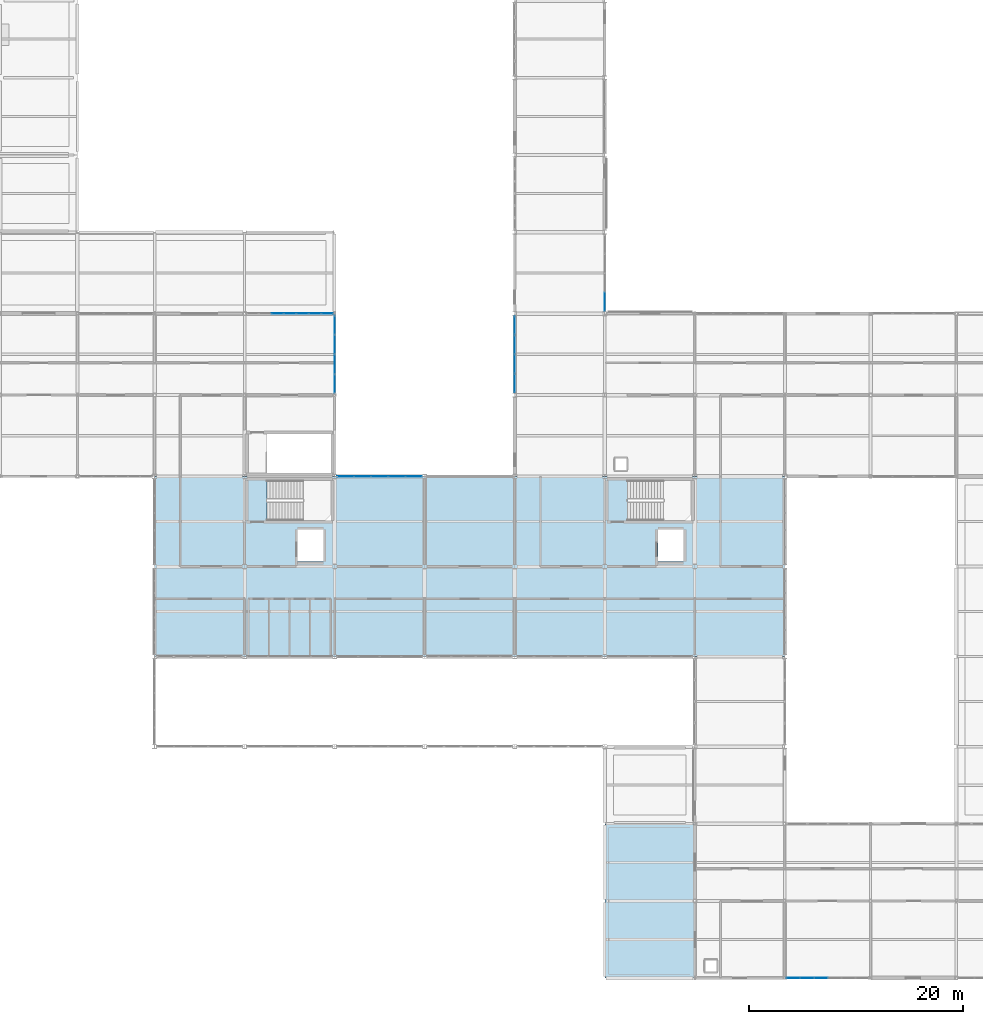
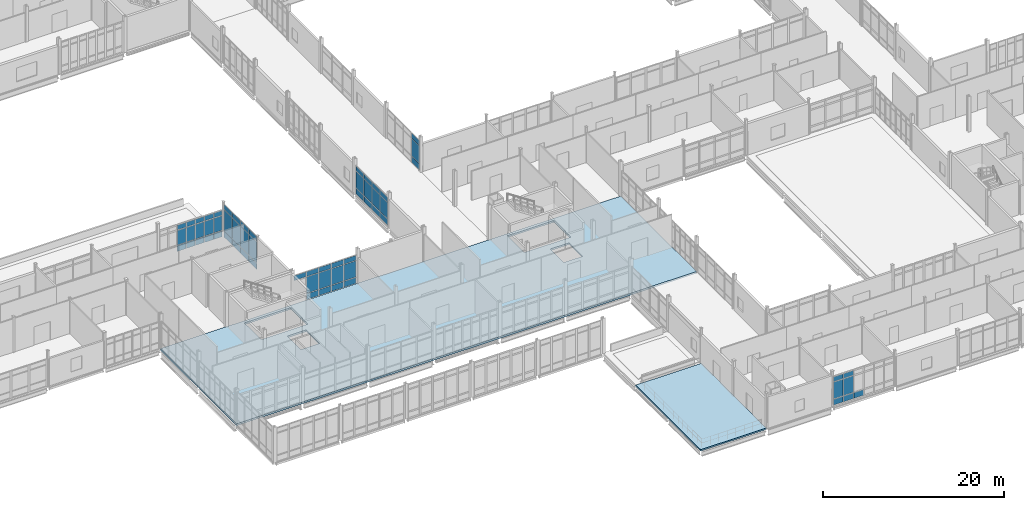
# One storey, part 122 of 186: 62 plates, 2 slabs, 6 elements without a shape of their own.
"""IFC4 building model written with IfcOpenShell, lengths in metres."""

from ifc_helpers import new_model, si_unit, direction, frame, origin, origin_2d, place, context, subcontext, project, spatial, polyline, rectangle, outline, extrude, material, layer, layer_set, type_object, element, aggregate, save


model = new_model("IFC4")

# Units and contexts
model_context = context("Model", 3, precision=1e-05, world=origin(), true_north=direction((0.0, 1.0)))
body_context = subcontext(model_context, "Body", "Model", "MODEL_VIEW")
ifc_project = project(units=[si_unit("LENGTHUNIT", "METRE"), si_unit("AREAUNIT", "SQUARE_METRE"), si_unit("VOLUMEUNIT", "CUBIC_METRE"), si_unit("PLANEANGLEUNIT", "RADIAN"), si_unit("MASSUNIT", "GRAM", prefix="KILO")], contexts=[model_context])

# Site, building, storey
site_placement = place(None, origin())
site = spatial("IfcSite", under=ifc_project, at=site_placement, CompositionType="ELEMENT")
building_placement = place(site_placement, origin())
building = spatial("IfcBuilding", under=site, at=building_placement, Name="Calvrana Isthmian Art Gallery", CompositionType="ELEMENT")
storey_placement = place(building_placement, frame((0.0, 0.0, 5.39990234375)))
storey = spatial("IfcBuildingStorey", under=building, at=storey_placement, Name="L01", CompositionType="ELEMENT", Elevation=5.39990234375)

# Curtain wall, plates
ifc_material_1 = material(Name="Anodized bronze aluminium 6063-T6", Category="aluminium")
ifc_layer_1 = layer(ifc_material_1, 0.179931640625, Name="Anodized bronze aluminium 6063-T6")
ifc_layer_set_1 = layer_set([ifc_layer_1], Name="Anodized bronze aluminium 6063-T6")
curtain_wall_type_1 = type_object("IfcCurtainWallType", Name="CW-UNIT-078X40", PredefinedType="USERDEFINED", material=ifc_layer_set_1)
curtain_wall_1_placement = place(storey_placement, origin())
curtain_wall_1 = element("IfcCurtainWall", 1, at=curtain_wall_1_placement, inside=storey, type_object=curtain_wall_type_1, Name="Curtain wall CW-084", ObjectType="UNITISED CURTAIN WALL", PredefinedType="USERDEFINED")
ifc_material_2 = material(Name="Low-E laminated solar glass", Category="glass")
ifc_layer_2 = layer(ifc_material_2, 0.028076171875, Name="Low-E laminated solar glass")
ifc_layer_set_2 = layer_set([ifc_layer_2], Name="Low-E laminated solar glass")
plate_type = type_object("IfcPlateType", Name="CWP-VISION-28", PredefinedType="CURTAIN_PANEL", material=ifc_layer_set_2)
plate_1_placement = place(storey_placement, frame((83.76513671875, 0.0, 0.074951171875), z_axis=(0.0, 0.0, 1.0), x_axis=(-1.0, 0.0, 0.0)))
plate_1 = element("IfcPlate", 2, at=plate_1_placement, type_object=plate_type, Name="CW-084 panel 4.1", PredefinedType="CURTAIN_PANEL", context=body_context, shape_type="SweptSolid", body=[
    extrude(rectangle(XDim=1.2353515625, YDim=0.028076171875, at=origin_2d()), origin(), (0.0, 0.0, 1.0), 0.78759765625),
])
plate_2_placement = place(storey_placement, frame((82.469970703125, 0.0, 0.074951171875), z_axis=(0.0, 0.0, 1.0), x_axis=(-1.0, 0.0, 0.0)))
plate_2 = element("IfcPlate", 3, at=plate_2_placement, type_object=plate_type, Name="CW-084 panel 5.1", PredefinedType="CURTAIN_PANEL", context=body_context, shape_type="SweptSolid", body=[
    extrude(rectangle(XDim=1.2353515625, YDim=0.028076171875, at=origin_2d()), origin(), (0.0, 0.0, 1.0), 0.78759765625),
])
plate_3_placement = place(storey_placement, frame((82.469970703125, 0.0, 0.9375), z_axis=(0.0, 0.0, 1.0), x_axis=(-1.0, 0.0, 0.0)))
plate_3 = element("IfcPlate", 4, at=plate_3_placement, type_object=plate_type, Name="CW-084 panel 5.2", PredefinedType="CURTAIN_PANEL", context=body_context, shape_type="SweptSolid", body=[
    extrude(rectangle(XDim=1.2353515625, YDim=0.028076171875, at=origin_2d()), origin(), (0.0, 0.0, 1.0), 2.24609375),
])
plate_4_placement = place(storey_placement, frame((82.469970703125, 0.0, 3.2587890625), z_axis=(0.0, 0.0, 1.0), x_axis=(-1.0, 0.0, 0.0)))
plate_4 = element("IfcPlate", 5, at=plate_4_placement, type_object=plate_type, Name="CW-084 panel 5.3", PredefinedType="CURTAIN_PANEL", context=body_context, shape_type="SweptSolid", body=[
    extrude(rectangle(XDim=1.2353515625, YDim=0.028076171875, at=origin_2d()), origin(), (0.0, 0.0, 1.0), 0.637451171875),
])
plate_5_placement = place(storey_placement, frame((81.189697265625, 0.0, 0.074951171875), z_axis=(0.0, 0.0, 1.0), x_axis=(-1.0, 0.0, 0.0)))
plate_5 = element("IfcPlate", 6, at=plate_5_placement, type_object=plate_type, Name="CW-084 panel 6.1", PredefinedType="CURTAIN_PANEL", context=body_context, shape_type="SweptSolid", body=[
    extrude(rectangle(XDim=1.205322265625, YDim=0.028076171875, at=origin_2d()), origin(), (0.0, 0.0, 1.0), 0.78759765625),
])
plate_6_placement = place(storey_placement, frame((81.189697265625, 0.0, 0.9375), z_axis=(0.0, 0.0, 1.0), x_axis=(-1.0, 0.0, 0.0)))
plate_6 = element("IfcPlate", 7, at=plate_6_placement, type_object=plate_type, Name="CW-084 panel 6.2", PredefinedType="CURTAIN_PANEL", context=body_context, shape_type="SweptSolid", body=[
    extrude(rectangle(XDim=1.205322265625, YDim=0.028076171875, at=origin_2d()), origin(), (0.0, 0.0, 1.0), 2.24609375),
])
plate_7_placement = place(storey_placement, frame((81.189697265625, 0.0, 3.2587890625), z_axis=(0.0, 0.0, 1.0), x_axis=(-1.0, 0.0, 0.0)))
plate_7 = element("IfcPlate", 8, at=plate_7_placement, type_object=plate_type, Name="CW-084 panel 6.3", PredefinedType="CURTAIN_PANEL", context=body_context, shape_type="SweptSolid", body=[
    extrude(rectangle(XDim=1.205322265625, YDim=0.028076171875, at=origin_2d()), origin(), (0.0, 0.0, 1.0), 0.637451171875),
])
aggregate(curtain_wall_1, [plate_1, plate_2, plate_3, plate_4, plate_5, plate_6, plate_7])

ifc_layer_3 = layer(ifc_material_1, 0.179931640625, Name="Anodized bronze aluminium 6063-T6")
ifc_layer_set_3 = layer_set([ifc_layer_3], Name="Anodized bronze aluminium 6063-T6")
curtain_wall_type_2 = type_object("IfcCurtainWallType", Name="CW-STICK-080X39", PredefinedType="NOTDEFINED", material=ifc_layer_set_3)
curtain_wall_2_placement = place(storey_placement, origin())
curtain_wall_2 = element("IfcCurtainWall", 9, at=curtain_wall_2_placement, inside=storey, type_object=curtain_wall_type_2, Name="Curtain wall CW-097", PredefinedType="NOTDEFINED")
plate_8_placement = place(storey_placement, frame((39.414794921875, 46.800048828125, 3.1904296875), z_axis=(0.0, 0.0, 1.0), x_axis=(1.0, 0.0, 0.0)))
plate_8 = element("IfcPlate", 10, at=plate_8_placement, type_object=plate_type, Name="CW-097 panel 1.3", PredefinedType="CURTAIN_PANEL", context=body_context, shape_type="SweptSolid", body=[
    extrude(rectangle(XDim=1.510498046875, YDim=0.028076171875, at=origin_2d()), origin(), (0.0, 0.0, 1.0), 0.652587890625),
])
plate_9_placement = place(storey_placement, frame((41.000244140625, 46.800048828125, 0.06494140625), z_axis=(0.0, 0.0, 1.0), x_axis=(1.0, 0.0, 0.0)))
plate_9 = element("IfcPlate", 11, at=plate_9_placement, type_object=plate_type, Name="CW-097 panel 2.1", PredefinedType="CURTAIN_PANEL", context=body_context, shape_type="SweptSolid", body=[
    extrude(rectangle(XDim=1.54052734375, YDim=0.028076171875, at=origin_2d()), origin(), (0.0, 0.0, 1.0), 0.802490234375),
])
plate_10_placement = place(storey_placement, frame((41.000244140625, 46.800048828125, 0.9326171875), z_axis=(0.0, 0.0, 1.0), x_axis=(1.0, 0.0, 0.0)))
plate_10 = element("IfcPlate", 12, at=plate_10_placement, type_object=plate_type, Name="CW-097 panel 2.2", PredefinedType="CURTAIN_PANEL", context=body_context, shape_type="SweptSolid", body=[
    extrude(rectangle(XDim=1.54052734375, YDim=0.028076171875, at=origin_2d()), origin(), (0.0, 0.0, 1.0), 2.193115234375),
])
plate_11_placement = place(storey_placement, frame((41.000244140625, 46.800048828125, 3.1904296875), z_axis=(0.0, 0.0, 1.0), x_axis=(1.0, 0.0, 0.0)))
plate_11 = element("IfcPlate", 13, at=plate_11_placement, type_object=plate_type, Name="CW-097 panel 2.3", PredefinedType="CURTAIN_PANEL", context=body_context, shape_type="SweptSolid", body=[
    extrude(rectangle(XDim=1.54052734375, YDim=0.028076171875, at=origin_2d()), origin(), (0.0, 0.0, 1.0), 0.652587890625),
])
plate_12_placement = place(storey_placement, frame((42.600830078125, 46.800048828125, 0.06494140625), z_axis=(0.0, 0.0, 1.0), x_axis=(1.0, 0.0, 0.0)))
plate_12 = element("IfcPlate", 14, at=plate_12_placement, type_object=plate_type, Name="CW-097 panel 3.1", PredefinedType="CURTAIN_PANEL", context=body_context, shape_type="SweptSolid", body=[
    extrude(rectangle(XDim=1.54052734375, YDim=0.028076171875, at=origin_2d()), origin(), (0.0, 0.0, 1.0), 0.802490234375),
])
plate_13_placement = place(storey_placement, frame((42.600830078125, 46.800048828125, 0.9326171875), z_axis=(0.0, 0.0, 1.0), x_axis=(1.0, 0.0, 0.0)))
plate_13 = element("IfcPlate", 15, at=plate_13_placement, type_object=plate_type, Name="CW-097 panel 3.2", PredefinedType="CURTAIN_PANEL", context=body_context, shape_type="SweptSolid", body=[
    extrude(rectangle(XDim=1.54052734375, YDim=0.028076171875, at=origin_2d()), origin(), (0.0, 0.0, 1.0), 2.193115234375),
])
plate_14_placement = place(storey_placement, frame((42.600830078125, 46.800048828125, 3.1904296875), z_axis=(0.0, 0.0, 1.0), x_axis=(1.0, 0.0, 0.0)))
plate_14 = element("IfcPlate", 16, at=plate_14_placement, type_object=plate_type, Name="CW-097 panel 3.3", PredefinedType="CURTAIN_PANEL", context=body_context, shape_type="SweptSolid", body=[
    extrude(rectangle(XDim=1.54052734375, YDim=0.028076171875, at=origin_2d()), origin(), (0.0, 0.0, 1.0), 0.652587890625),
])
plate_15_placement = place(storey_placement, frame((44.201171875, 46.800048828125, 0.06494140625), z_axis=(0.0, 0.0, 1.0), x_axis=(1.0, 0.0, 0.0)))
plate_15 = element("IfcPlate", 17, at=plate_15_placement, type_object=plate_type, Name="CW-097 panel 4.1", PredefinedType="CURTAIN_PANEL", context=body_context, shape_type="SweptSolid", body=[
    extrude(rectangle(XDim=1.54052734375, YDim=0.028076171875, at=origin_2d()), origin(), (0.0, 0.0, 1.0), 0.802490234375),
])
plate_16_placement = place(storey_placement, frame((44.201171875, 46.800048828125, 0.9326171875), z_axis=(0.0, 0.0, 1.0), x_axis=(1.0, 0.0, 0.0)))
plate_16 = element("IfcPlate", 18, at=plate_16_placement, type_object=plate_type, Name="CW-097 panel 4.2", PredefinedType="CURTAIN_PANEL", context=body_context, shape_type="SweptSolid", body=[
    extrude(rectangle(XDim=1.54052734375, YDim=0.028076171875, at=origin_2d()), origin(), (0.0, 0.0, 1.0), 2.193115234375),
])
plate_17_placement = place(storey_placement, frame((44.201171875, 46.800048828125, 3.1904296875), z_axis=(0.0, 0.0, 1.0), x_axis=(1.0, 0.0, 0.0)))
plate_17 = element("IfcPlate", 19, at=plate_17_placement, type_object=plate_type, Name="CW-097 panel 4.3", PredefinedType="CURTAIN_PANEL", context=body_context, shape_type="SweptSolid", body=[
    extrude(rectangle(XDim=1.54052734375, YDim=0.028076171875, at=origin_2d()), origin(), (0.0, 0.0, 1.0), 0.652587890625),
])
plate_18_placement = place(storey_placement, frame((45.786865234375, 46.800048828125, 0.06494140625), z_axis=(0.0, 0.0, 1.0), x_axis=(1.0, 0.0, 0.0)))
plate_18 = element("IfcPlate", 20, at=plate_18_placement, type_object=plate_type, Name="CW-097 panel 5.1", PredefinedType="CURTAIN_PANEL", context=body_context, shape_type="SweptSolid", body=[
    extrude(rectangle(XDim=1.510498046875, YDim=0.028076171875, at=origin_2d()), origin(), (0.0, 0.0, 1.0), 0.802490234375),
])
plate_19_placement = place(storey_placement, frame((45.786865234375, 46.800048828125, 0.9326171875), z_axis=(0.0, 0.0, 1.0), x_axis=(1.0, 0.0, 0.0)))
plate_19 = element("IfcPlate", 21, at=plate_19_placement, type_object=plate_type, Name="CW-097 panel 5.2", PredefinedType="CURTAIN_PANEL", context=body_context, shape_type="SweptSolid", body=[
    extrude(rectangle(XDim=1.510498046875, YDim=0.028076171875, at=origin_2d()), origin(), (0.0, 0.0, 1.0), 2.193115234375),
])
plate_20_placement = place(storey_placement, frame((45.786865234375, 46.800048828125, 3.1904296875), z_axis=(0.0, 0.0, 1.0), x_axis=(1.0, 0.0, 0.0)))
plate_20 = element("IfcPlate", 22, at=plate_20_placement, type_object=plate_type, Name="CW-097 panel 5.3", PredefinedType="CURTAIN_PANEL", context=body_context, shape_type="SweptSolid", body=[
    extrude(rectangle(XDim=1.510498046875, YDim=0.028076171875, at=origin_2d()), origin(), (0.0, 0.0, 1.0), 0.652587890625),
])
aggregate(curtain_wall_2, [plate_8, plate_9, plate_10, plate_11, plate_12, plate_13, plate_14, plate_15, plate_16, plate_17, plate_18, plate_19, plate_20])

ifc_layer_4 = layer(ifc_material_1, 0.179931640625, Name="Anodized bronze aluminium 6063-T6")
ifc_layer_set_4 = layer_set([ifc_layer_4], Name="Anodized bronze aluminium 6063-T6")
curtain_wall_type_3 = type_object("IfcCurtainWallType", Name="CW-UNIT-081X37", PredefinedType="USERDEFINED", material=ifc_layer_set_4)
curtain_wall_3_placement = place(storey_placement, origin())
curtain_wall_3 = element("IfcCurtainWall", 23, at=curtain_wall_3_placement, inside=storey, type_object=curtain_wall_type_3, Name="Curtain wall CW-104", ObjectType="UNITISED CURTAIN WALL", PredefinedType="USERDEFINED")
plate_21_placement = place(storey_placement, frame((33.061767578125, 62.0, 0.074951171875), z_axis=(0.0, 0.0, 1.0), x_axis=(1.0, 0.0, 0.0)))
plate_21 = element("IfcPlate", 24, at=plate_21_placement, type_object=plate_type, Name="CW-104 panel 3.1", PredefinedType="CURTAIN_PANEL", context=body_context, shape_type="SweptSolid", body=[
    extrude(rectangle(XDim=1.0986328125, YDim=0.028076171875, at=origin_2d()), origin(), (0.0, 0.0, 1.0), 0.78759765625),
])
plate_22_placement = place(storey_placement, frame((33.061767578125, 62.0, 0.9375), z_axis=(0.0, 0.0, 1.0), x_axis=(1.0, 0.0, 0.0)))
plate_22 = element("IfcPlate", 25, at=plate_22_placement, type_object=plate_type, Name="CW-104 panel 3.2", PredefinedType="CURTAIN_PANEL", context=body_context, shape_type="SweptSolid", body=[
    extrude(rectangle(XDim=1.0986328125, YDim=0.028076171875, at=origin_2d()), origin(), (0.0, 0.0, 1.0), 1.969970703125),
])
plate_23_placement = place(storey_placement, frame((33.061767578125, 62.0, 2.982421875), z_axis=(0.0, 0.0, 1.0), x_axis=(1.0, 0.0, 0.0)))
plate_23 = element("IfcPlate", 26, at=plate_23_placement, type_object=plate_type, Name="CW-104 panel 3.3", PredefinedType="CURTAIN_PANEL", context=body_context, shape_type="SweptSolid", body=[
    extrude(rectangle(XDim=1.0986328125, YDim=0.028076171875, at=origin_2d()), origin(), (0.0, 0.0, 1.0), 0.637451171875),
])
plate_24_placement = place(storey_placement, frame((34.225341796875, 62.0, 0.074951171875), z_axis=(0.0, 0.0, 1.0), x_axis=(1.0, 0.0, 0.0)))
plate_24 = element("IfcPlate", 27, at=plate_24_placement, type_object=plate_type, Name="CW-104 panel 4.1", PredefinedType="CURTAIN_PANEL", context=body_context, shape_type="SweptSolid", body=[
    extrude(rectangle(XDim=1.0986328125, YDim=0.028076171875, at=origin_2d()), origin(), (0.0, 0.0, 1.0), 0.78759765625),
])
plate_25_placement = place(storey_placement, frame((34.225341796875, 62.0, 0.9375), z_axis=(0.0, 0.0, 1.0), x_axis=(1.0, 0.0, 0.0)))
plate_25 = element("IfcPlate", 28, at=plate_25_placement, type_object=plate_type, Name="CW-104 panel 4.2", PredefinedType="CURTAIN_PANEL", context=body_context, shape_type="SweptSolid", body=[
    extrude(rectangle(XDim=1.0986328125, YDim=0.028076171875, at=origin_2d()), origin(), (0.0, 0.0, 1.0), 1.969970703125),
])
plate_26_placement = place(storey_placement, frame((34.225341796875, 62.0, 2.982421875), z_axis=(0.0, 0.0, 1.0), x_axis=(1.0, 0.0, 0.0)))
plate_26 = element("IfcPlate", 29, at=plate_26_placement, type_object=plate_type, Name="CW-104 panel 4.3", PredefinedType="CURTAIN_PANEL", context=body_context, shape_type="SweptSolid", body=[
    extrude(rectangle(XDim=1.0986328125, YDim=0.028076171875, at=origin_2d()), origin(), (0.0, 0.0, 1.0), 0.637451171875),
])
plate_27_placement = place(storey_placement, frame((35.38916015625, 62.0, 0.074951171875), z_axis=(0.0, 0.0, 1.0), x_axis=(1.0, 0.0, 0.0)))
plate_27 = element("IfcPlate", 30, at=plate_27_placement, type_object=plate_type, Name="CW-104 panel 5.1", PredefinedType="CURTAIN_PANEL", context=body_context, shape_type="SweptSolid", body=[
    extrude(rectangle(XDim=1.0986328125, YDim=0.028076171875, at=origin_2d()), origin(), (0.0, 0.0, 1.0), 0.78759765625),
])
plate_28_placement = place(storey_placement, frame((35.38916015625, 62.0, 0.9375), z_axis=(0.0, 0.0, 1.0), x_axis=(1.0, 0.0, 0.0)))
plate_28 = element("IfcPlate", 31, at=plate_28_placement, type_object=plate_type, Name="CW-104 panel 5.2", PredefinedType="CURTAIN_PANEL", context=body_context, shape_type="SweptSolid", body=[
    extrude(rectangle(XDim=1.0986328125, YDim=0.028076171875, at=origin_2d()), origin(), (0.0, 0.0, 1.0), 1.969970703125),
])
plate_29_placement = place(storey_placement, frame((35.38916015625, 62.0, 2.982421875), z_axis=(0.0, 0.0, 1.0), x_axis=(1.0, 0.0, 0.0)))
plate_29 = element("IfcPlate", 32, at=plate_29_placement, type_object=plate_type, Name="CW-104 panel 5.3", PredefinedType="CURTAIN_PANEL", context=body_context, shape_type="SweptSolid", body=[
    extrude(rectangle(XDim=1.0986328125, YDim=0.028076171875, at=origin_2d()), origin(), (0.0, 0.0, 1.0), 0.637451171875),
])
plate_30_placement = place(storey_placement, frame((36.552734375, 62.0, 0.074951171875), z_axis=(0.0, 0.0, 1.0), x_axis=(1.0, 0.0, 0.0)))
plate_30 = element("IfcPlate", 33, at=plate_30_placement, type_object=plate_type, Name="CW-104 panel 6.1", PredefinedType="CURTAIN_PANEL", context=body_context, shape_type="SweptSolid", body=[
    extrude(rectangle(XDim=1.0986328125, YDim=0.028076171875, at=origin_2d()), origin(), (0.0, 0.0, 1.0), 0.78759765625),
])
plate_31_placement = place(storey_placement, frame((36.552734375, 62.0, 0.9375), z_axis=(0.0, 0.0, 1.0), x_axis=(1.0, 0.0, 0.0)))
plate_31 = element("IfcPlate", 34, at=plate_31_placement, type_object=plate_type, Name="CW-104 panel 6.2", PredefinedType="CURTAIN_PANEL", context=body_context, shape_type="SweptSolid", body=[
    extrude(rectangle(XDim=1.0986328125, YDim=0.028076171875, at=origin_2d()), origin(), (0.0, 0.0, 1.0), 1.969970703125),
])
plate_32_placement = place(storey_placement, frame((36.552734375, 62.0, 2.982421875), z_axis=(0.0, 0.0, 1.0), x_axis=(1.0, 0.0, 0.0)))
plate_32 = element("IfcPlate", 35, at=plate_32_placement, type_object=plate_type, Name="CW-104 panel 6.3", PredefinedType="CURTAIN_PANEL", context=body_context, shape_type="SweptSolid", body=[
    extrude(rectangle(XDim=1.0986328125, YDim=0.028076171875, at=origin_2d()), origin(), (0.0, 0.0, 1.0), 0.637451171875),
])
plate_33_placement = place(storey_placement, frame((37.7001953125, 62.0, 0.074951171875), z_axis=(0.0, 0.0, 1.0), x_axis=(1.0, 0.0, 0.0)))
plate_33 = element("IfcPlate", 36, at=plate_33_placement, type_object=plate_type, Name="CW-104 panel 7.1", PredefinedType="CURTAIN_PANEL", context=body_context, shape_type="SweptSolid", body=[
    extrude(rectangle(XDim=1.066162109375, YDim=0.028076171875, at=origin_2d()), origin(), (0.0, 0.0, 1.0), 0.78759765625),
])
plate_34_placement = place(storey_placement, frame((37.7001953125, 62.0, 0.9375), z_axis=(0.0, 0.0, 1.0), x_axis=(1.0, 0.0, 0.0)))
plate_34 = element("IfcPlate", 37, at=plate_34_placement, type_object=plate_type, Name="CW-104 panel 7.2", PredefinedType="CURTAIN_PANEL", context=body_context, shape_type="SweptSolid", body=[
    extrude(rectangle(XDim=1.066162109375, YDim=0.028076171875, at=origin_2d()), origin(), (0.0, 0.0, 1.0), 1.969970703125),
])
plate_35_placement = place(storey_placement, frame((37.7001953125, 62.0, 2.982421875), z_axis=(0.0, 0.0, 1.0), x_axis=(1.0, 0.0, 0.0)))
plate_35 = element("IfcPlate", 38, at=plate_35_placement, type_object=plate_type, Name="CW-104 panel 7.3", PredefinedType="CURTAIN_PANEL", context=body_context, shape_type="SweptSolid", body=[
    extrude(rectangle(XDim=1.066162109375, YDim=0.028076171875, at=origin_2d()), origin(), (0.0, 0.0, 1.0), 0.637451171875),
])
aggregate(curtain_wall_3, [plate_21, plate_22, plate_23, plate_24, plate_25, plate_26, plate_27, plate_28, plate_29, plate_30, plate_31, plate_32, plate_33, plate_34, plate_35])

ifc_layer_5 = layer(ifc_material_1, 0.179931640625, Name="Anodized bronze aluminium 6063-T6")
ifc_layer_set_5 = layer_set([ifc_layer_5], Name="Anodized bronze aluminium 6063-T6")
curtain_wall_type_4 = type_object("IfcCurtainWallType", Name="CW-UNIT-073X45", PredefinedType="USERDEFINED", material=ifc_layer_set_5)
curtain_wall_4_placement = place(storey_placement, origin())
curtain_wall_4 = element("IfcCurtainWall", 39, at=curtain_wall_4_placement, inside=storey, type_object=curtain_wall_type_4, Name="Curtain wall CW-122", ObjectType="UNITISED CURTAIN WALL", PredefinedType="USERDEFINED")
plate_36_placement = place(storey_placement, frame((38.39990234375, 60.916259765625, 0.06494140625), z_axis=(0.0, 0.0, 1.0), x_axis=(0.0, -1.0, 0.0)))
plate_36 = element("IfcPlate", 40, at=plate_36_placement, type_object=plate_type, Name="CW-122 panel 1.1", PredefinedType="CURTAIN_PANEL", context=body_context, shape_type="SweptSolid", body=[
    extrude(rectangle(XDim=1.732666015625, YDim=0.028076171875, at=origin_2d()), origin(), (0.0, 0.0, 1.0), 0.802490234375),
])
plate_37_placement = place(storey_placement, frame((38.39990234375, 60.916259765625, 0.9326171875), z_axis=(0.0, 0.0, 1.0), x_axis=(0.0, -1.0, 0.0)))
plate_37 = element("IfcPlate", 41, at=plate_37_placement, type_object=plate_type, Name="CW-122 panel 1.2", PredefinedType="CURTAIN_PANEL", context=body_context, shape_type="SweptSolid", body=[
    extrude(rectangle(XDim=1.732666015625, YDim=0.028076171875, at=origin_2d()), origin(), (0.0, 0.0, 1.0), 2.824951171875),
])
plate_38_placement = place(storey_placement, frame((38.39990234375, 60.916259765625, 3.82275390625), z_axis=(0.0, 0.0, 1.0), x_axis=(0.0, -1.0, 0.0)))
plate_38 = element("IfcPlate", 42, at=plate_38_placement, type_object=plate_type, Name="CW-122 panel 1.3", PredefinedType="CURTAIN_PANEL", context=body_context, shape_type="SweptSolid", body=[
    extrude(rectangle(XDim=1.732666015625, YDim=0.028076171875, at=origin_2d()), origin(), (0.0, 0.0, 1.0), 0.652587890625),
])
plate_39_placement = place(storey_placement, frame((38.39990234375, 59.102294921875, 0.06494140625), z_axis=(0.0, 0.0, 1.0), x_axis=(0.0, -1.0, 0.0)))
plate_39 = element("IfcPlate", 43, at=plate_39_placement, type_object=plate_type, Name="CW-122 panel 2.1", PredefinedType="CURTAIN_PANEL", context=body_context, shape_type="SweptSolid", body=[
    extrude(rectangle(XDim=1.76513671875, YDim=0.028076171875, at=origin_2d()), origin(), (0.0, 0.0, 1.0), 0.802490234375),
])
plate_40_placement = place(storey_placement, frame((38.39990234375, 59.102294921875, 0.9326171875), z_axis=(0.0, 0.0, 1.0), x_axis=(0.0, -1.0, 0.0)))
plate_40 = element("IfcPlate", 44, at=plate_40_placement, type_object=plate_type, Name="CW-122 panel 2.2", PredefinedType="CURTAIN_PANEL", context=body_context, shape_type="SweptSolid", body=[
    extrude(rectangle(XDim=1.76513671875, YDim=0.028076171875, at=origin_2d()), origin(), (0.0, 0.0, 1.0), 2.824951171875),
])
plate_41_placement = place(storey_placement, frame((38.39990234375, 59.102294921875, 3.82275390625), z_axis=(0.0, 0.0, 1.0), x_axis=(0.0, -1.0, 0.0)))
plate_41 = element("IfcPlate", 45, at=plate_41_placement, type_object=plate_type, Name="CW-122 panel 2.3", PredefinedType="CURTAIN_PANEL", context=body_context, shape_type="SweptSolid", body=[
    extrude(rectangle(XDim=1.76513671875, YDim=0.028076171875, at=origin_2d()), origin(), (0.0, 0.0, 1.0), 0.652587890625),
])
plate_42_placement = place(storey_placement, frame((38.39990234375, 57.272216796875, 0.06494140625), z_axis=(0.0, 0.0, 1.0), x_axis=(0.0, -1.0, 0.0)))
plate_42 = element("IfcPlate", 46, at=plate_42_placement, type_object=plate_type, Name="CW-122 panel 3.1", PredefinedType="CURTAIN_PANEL", context=body_context, shape_type="SweptSolid", body=[
    extrude(rectangle(XDim=1.76513671875, YDim=0.028076171875, at=origin_2d()), origin(), (0.0, 0.0, 1.0), 0.802490234375),
])
plate_43_placement = place(storey_placement, frame((38.39990234375, 57.272216796875, 0.9326171875), z_axis=(0.0, 0.0, 1.0), x_axis=(0.0, -1.0, 0.0)))
plate_43 = element("IfcPlate", 47, at=plate_43_placement, type_object=plate_type, Name="CW-122 panel 3.2", PredefinedType="CURTAIN_PANEL", context=body_context, shape_type="SweptSolid", body=[
    extrude(rectangle(XDim=1.76513671875, YDim=0.028076171875, at=origin_2d()), origin(), (0.0, 0.0, 1.0), 2.824951171875),
])
plate_44_placement = place(storey_placement, frame((38.39990234375, 57.272216796875, 3.82275390625), z_axis=(0.0, 0.0, 1.0), x_axis=(0.0, -1.0, 0.0)))
plate_44 = element("IfcPlate", 48, at=plate_44_placement, type_object=plate_type, Name="CW-122 panel 3.3", PredefinedType="CURTAIN_PANEL", context=body_context, shape_type="SweptSolid", body=[
    extrude(rectangle(XDim=1.76513671875, YDim=0.028076171875, at=origin_2d()), origin(), (0.0, 0.0, 1.0), 0.652587890625),
])
plate_45_placement = place(storey_placement, frame((38.39990234375, 55.458251953125, 0.06494140625), z_axis=(0.0, 0.0, 1.0), x_axis=(0.0, -1.0, 0.0)))
plate_45 = element("IfcPlate", 49, at=plate_45_placement, type_object=plate_type, Name="CW-122 panel 4.1", PredefinedType="CURTAIN_PANEL", context=body_context, shape_type="SweptSolid", body=[
    extrude(rectangle(XDim=1.732666015625, YDim=0.028076171875, at=origin_2d()), origin(), (0.0, 0.0, 1.0), 0.802490234375),
])
plate_46_placement = place(storey_placement, frame((38.39990234375, 55.458251953125, 0.9326171875), z_axis=(0.0, 0.0, 1.0), x_axis=(0.0, -1.0, 0.0)))
plate_46 = element("IfcPlate", 50, at=plate_46_placement, type_object=plate_type, Name="CW-122 panel 4.2", PredefinedType="CURTAIN_PANEL", context=body_context, shape_type="SweptSolid", body=[
    extrude(rectangle(XDim=1.732666015625, YDim=0.028076171875, at=origin_2d()), origin(), (0.0, 0.0, 1.0), 2.824951171875),
])
plate_47_placement = place(storey_placement, frame((38.39990234375, 55.458251953125, 3.82275390625), z_axis=(0.0, 0.0, 1.0), x_axis=(0.0, -1.0, 0.0)))
plate_47 = element("IfcPlate", 51, at=plate_47_placement, type_object=plate_type, Name="CW-122 panel 4.3", PredefinedType="CURTAIN_PANEL", context=body_context, shape_type="SweptSolid", body=[
    extrude(rectangle(XDim=1.732666015625, YDim=0.028076171875, at=origin_2d()), origin(), (0.0, 0.0, 1.0), 0.652587890625),
])
aggregate(curtain_wall_4, [plate_36, plate_37, plate_38, plate_39, plate_40, plate_41, plate_42, plate_43, plate_44, plate_45, plate_46, plate_47])

ifc_layer_6 = layer(ifc_material_1, 0.179931640625, Name="Anodized bronze aluminium 6063-T6")
ifc_layer_set_6 = layer_set([ifc_layer_6], Name="Anodized bronze aluminium 6063-T6")
curtain_wall_type_5 = type_object("IfcCurtainWallType", Name="CW-STICK-072X39", PredefinedType="NOTDEFINED", material=ifc_layer_set_6)
curtain_wall_5_placement = place(storey_placement, origin())
curtain_wall_5 = element("IfcCurtainWall", 52, at=curtain_wall_5_placement, inside=storey, type_object=curtain_wall_type_5, Name="Curtain wall CW-123", PredefinedType="NOTDEFINED")
plate_48_placement = place(storey_placement, frame((55.199951171875, 55.505126953125, 0.070068359375), z_axis=(0.0, 0.0, 1.0), x_axis=(0.0, 1.0, 0.0)))
plate_48 = element("IfcPlate", 53, at=plate_48_placement, type_object=plate_type, Name="CW-123 panel 1.1", PredefinedType="CURTAIN_PANEL", context=body_context, shape_type="SweptSolid", body=[
    extrude(rectangle(XDim=1.702392578125, YDim=0.028076171875, at=origin_2d()), origin(), (0.0, 0.0, 1.0), 0.794921875),
])
plate_49_placement = place(storey_placement, frame((55.199951171875, 55.505126953125, 0.93505859375), z_axis=(0.0, 0.0, 1.0), x_axis=(0.0, 1.0, 0.0)))
plate_49 = element("IfcPlate", 54, at=plate_49_placement, type_object=plate_type, Name="CW-123 panel 1.2", PredefinedType="CURTAIN_PANEL", context=body_context, shape_type="SweptSolid", body=[
    extrude(rectangle(XDim=1.702392578125, YDim=0.028076171875, at=origin_2d()), origin(), (0.0, 0.0, 1.0), 2.193115234375),
])
plate_50_placement = place(storey_placement, frame((55.199951171875, 55.505126953125, 3.197998046875), z_axis=(0.0, 0.0, 1.0), x_axis=(0.0, 1.0, 0.0)))
plate_50 = element("IfcPlate", 55, at=plate_50_placement, type_object=plate_type, Name="CW-123 panel 1.3", PredefinedType="CURTAIN_PANEL", context=body_context, shape_type="SweptSolid", body=[
    extrude(rectangle(XDim=1.702392578125, YDim=0.028076171875, at=origin_2d()), origin(), (0.0, 0.0, 1.0), 0.64501953125),
])
plate_51_placement = place(storey_placement, frame((55.199951171875, 57.295166015625, 0.070068359375), z_axis=(0.0, 0.0, 1.0), x_axis=(0.0, 1.0, 0.0)))
plate_51 = element("IfcPlate", 56, at=plate_51_placement, type_object=plate_type, Name="CW-123 panel 2.1", PredefinedType="CURTAIN_PANEL", context=body_context, shape_type="SweptSolid", body=[
    extrude(rectangle(XDim=1.7373046875, YDim=0.028076171875, at=origin_2d()), origin(), (0.0, 0.0, 1.0), 0.794921875),
])
plate_52_placement = place(storey_placement, frame((55.199951171875, 57.295166015625, 0.93505859375), z_axis=(0.0, 0.0, 1.0), x_axis=(0.0, 1.0, 0.0)))
plate_52 = element("IfcPlate", 57, at=plate_52_placement, type_object=plate_type, Name="CW-123 panel 2.2", PredefinedType="CURTAIN_PANEL", context=body_context, shape_type="SweptSolid", body=[
    extrude(rectangle(XDim=1.7373046875, YDim=0.028076171875, at=origin_2d()), origin(), (0.0, 0.0, 1.0), 2.193115234375),
])
plate_53_placement = place(storey_placement, frame((55.199951171875, 57.295166015625, 3.197998046875), z_axis=(0.0, 0.0, 1.0), x_axis=(0.0, 1.0, 0.0)))
plate_53 = element("IfcPlate", 58, at=plate_53_placement, type_object=plate_type, Name="CW-123 panel 2.3", PredefinedType="CURTAIN_PANEL", context=body_context, shape_type="SweptSolid", body=[
    extrude(rectangle(XDim=1.7373046875, YDim=0.028076171875, at=origin_2d()), origin(), (0.0, 0.0, 1.0), 0.64501953125),
])
plate_54_placement = place(storey_placement, frame((55.199951171875, 59.1025390625, 0.070068359375), z_axis=(0.0, 0.0, 1.0), x_axis=(0.0, 1.0, 0.0)))
plate_54 = element("IfcPlate", 59, at=plate_54_placement, type_object=plate_type, Name="CW-123 panel 3.1", PredefinedType="CURTAIN_PANEL", context=body_context, shape_type="SweptSolid", body=[
    extrude(rectangle(XDim=1.7373046875, YDim=0.028076171875, at=origin_2d()), origin(), (0.0, 0.0, 1.0), 0.794921875),
])
plate_55_placement = place(storey_placement, frame((55.199951171875, 59.1025390625, 0.93505859375), z_axis=(0.0, 0.0, 1.0), x_axis=(0.0, 1.0, 0.0)))
plate_55 = element("IfcPlate", 60, at=plate_55_placement, type_object=plate_type, Name="CW-123 panel 3.2", PredefinedType="CURTAIN_PANEL", context=body_context, shape_type="SweptSolid", body=[
    extrude(rectangle(XDim=1.7373046875, YDim=0.028076171875, at=origin_2d()), origin(), (0.0, 0.0, 1.0), 2.193115234375),
])
plate_56_placement = place(storey_placement, frame((55.199951171875, 59.1025390625, 3.197998046875), z_axis=(0.0, 0.0, 1.0), x_axis=(0.0, 1.0, 0.0)))
plate_56 = element("IfcPlate", 61, at=plate_56_placement, type_object=plate_type, Name="CW-123 panel 3.3", PredefinedType="CURTAIN_PANEL", context=body_context, shape_type="SweptSolid", body=[
    extrude(rectangle(XDim=1.7373046875, YDim=0.028076171875, at=origin_2d()), origin(), (0.0, 0.0, 1.0), 0.64501953125),
])
plate_57_placement = place(storey_placement, frame((55.199951171875, 60.892333984375, 0.070068359375), z_axis=(0.0, 0.0, 1.0), x_axis=(0.0, 1.0, 0.0)))
plate_57 = element("IfcPlate", 62, at=plate_57_placement, type_object=plate_type, Name="CW-123 panel 4.1", PredefinedType="CURTAIN_PANEL", context=body_context, shape_type="SweptSolid", body=[
    extrude(rectangle(XDim=1.702392578125, YDim=0.028076171875, at=origin_2d()), origin(), (0.0, 0.0, 1.0), 0.794921875),
])
plate_58_placement = place(storey_placement, frame((55.199951171875, 60.892333984375, 0.93505859375), z_axis=(0.0, 0.0, 1.0), x_axis=(0.0, 1.0, 0.0)))
plate_58 = element("IfcPlate", 63, at=plate_58_placement, type_object=plate_type, Name="CW-123 panel 4.2", PredefinedType="CURTAIN_PANEL", context=body_context, shape_type="SweptSolid", body=[
    extrude(rectangle(XDim=1.702392578125, YDim=0.028076171875, at=origin_2d()), origin(), (0.0, 0.0, 1.0), 2.193115234375),
])
plate_59_placement = place(storey_placement, frame((55.199951171875, 60.892333984375, 3.197998046875), z_axis=(0.0, 0.0, 1.0), x_axis=(0.0, 1.0, 0.0)))
plate_59 = element("IfcPlate", 64, at=plate_59_placement, type_object=plate_type, Name="CW-123 panel 4.3", PredefinedType="CURTAIN_PANEL", context=body_context, shape_type="SweptSolid", body=[
    extrude(rectangle(XDim=1.702392578125, YDim=0.028076171875, at=origin_2d()), origin(), (0.0, 0.0, 1.0), 0.64501953125),
])
aggregate(curtain_wall_5, [plate_48, plate_49, plate_50, plate_51, plate_52, plate_53, plate_54, plate_55, plate_56, plate_57, plate_58, plate_59])

ifc_layer_7 = layer(ifc_material_1, 0.179931640625, Name="Anodized bronze aluminium 6063-T6")
ifc_layer_set_7 = layer_set([ifc_layer_7], Name="Anodized bronze aluminium 6063-T6")
curtain_wall_type_6 = type_object("IfcCurtainWallType", Name="CW-STICK-072X41", PredefinedType="NOTDEFINED", material=ifc_layer_set_7)
curtain_wall_6_placement = place(storey_placement, origin())
curtain_wall_6 = element("IfcCurtainWall", 65, at=curtain_wall_6_placement, inside=storey, type_object=curtain_wall_type_6, Name="Curtain wall CW-126", PredefinedType="NOTDEFINED")
plate_60_placement = place(storey_placement, frame((63.60009765625, 63.102783203125, 0.06005859375), z_axis=(0.0, 0.0, 1.0), x_axis=(0.0, -1.0, 0.0)))
plate_60 = element("IfcPlate", 66, at=plate_60_placement, type_object=plate_type, Name="CW-126 panel 4.1", PredefinedType="CURTAIN_PANEL", context=body_context, shape_type="SweptSolid", body=[
    extrude(rectangle(XDim=1.71728515625, YDim=0.028076171875, at=origin_2d()), origin(), (0.0, 0.0, 1.0), 0.81005859375),
])
plate_61_placement = place(storey_placement, frame((63.60009765625, 63.102783203125, 0.93017578125), z_axis=(0.0, 0.0, 1.0), x_axis=(0.0, -1.0, 0.0)))
plate_61 = element("IfcPlate", 67, at=plate_61_placement, type_object=plate_type, Name="CW-126 panel 4.2", PredefinedType="CURTAIN_PANEL", context=body_context, shape_type="SweptSolid", body=[
    extrude(rectangle(XDim=1.71728515625, YDim=0.028076171875, at=origin_2d()), origin(), (0.0, 0.0, 1.0), 2.347900390625),
])
plate_62_placement = place(storey_placement, frame((63.60009765625, 63.102783203125, 3.33837890625), z_axis=(0.0, 0.0, 1.0), x_axis=(0.0, -1.0, 0.0)))
plate_62 = element("IfcPlate", 68, at=plate_62_placement, type_object=plate_type, Name="CW-126 panel 4.3", PredefinedType="CURTAIN_PANEL", context=body_context, shape_type="SweptSolid", body=[
    extrude(rectangle(XDim=1.71728515625, YDim=0.028076171875, at=origin_2d()), origin(), (0.0, 0.0, 1.0), 0.659912109375),
])
aggregate(curtain_wall_6, [plate_60, plate_61, plate_62])

# Slabs
ifc_material_3 = material(Name="Concrete C40/50", Category="concrete")
ifc_layer_8 = layer(ifc_material_3, 0.239990234375, Name="Concrete C40/50")
ifc_layer_set_8 = layer_set([ifc_layer_8], Name="Concrete C40/50")
slab_type_1 = type_object("IfcSlabType", Name="SLB-FLR-240", PredefinedType="FLOOR", material=ifc_layer_set_8)
slab_1_placement = place(storey_placement, frame((0.0, 0.0, -0.239990234375)))
element("IfcSlab", 69, at=slab_1_placement, inside=storey, type_object=slab_type_1, Name="Floor slab V1_L01", PredefinedType="FLOOR", context=body_context, shape_type="SweptSolid", body=[
    extrude(outline(polyline([(21.60009765625, 30.0), (80.39990234375, 30.0), (80.39990234375, 46.800048828125), (21.60009765625, 46.800048828125), (21.60009765625, 30.0)]), holes=[polyline([(32.10009765625, 42.7099609375), (38.06005859375, 42.7099609375), (38.06005859375, 46.429931640625), (32.10009765625, 46.429931640625), (32.10009765625, 42.7099609375)]), polyline([(34.949951171875, 38.85009765625), (37.35009765625, 38.85009765625), (37.35009765625, 41.85009765625), (34.949951171875, 41.85009765625), (34.949951171875, 38.85009765625)]), polyline([(65.699951171875, 42.7099609375), (71.659912109375, 42.7099609375), (71.659912109375, 46.429931640625), (65.699951171875, 46.429931640625), (65.699951171875, 42.7099609375)]), polyline([(68.550048828125, 38.85009765625), (70.949951171875, 38.85009765625), (70.949951171875, 41.85009765625), (68.550048828125, 41.85009765625), (68.550048828125, 38.85009765625)])]), origin(), (0.0, 0.0, 1.0), 0.239990234375),
])
ifc_layer_9 = layer(ifc_material_3, 0.199951171875, Name="Concrete C40/50")
ifc_layer_set_9 = layer_set([ifc_layer_9], Name="Concrete C40/50")
slab_type_2 = type_object("IfcSlabType", Name="SLB-TER-200", PredefinedType="FLOOR", material=ifc_layer_set_9)
slab_2_placement = place(storey_placement, frame((0.0, 0.0, -0.199951171875)))
element("IfcSlab", 70, at=slab_2_placement, inside=storey, type_object=slab_type_2, Name="Outdoor sculpture terrace TER_V2S_L01", PredefinedType="FLOOR", context=body_context, shape_type="SweptSolid", body=[
    extrude(outline(polyline([(63.60009765625, 0.0), (72.0, 0.0), (72.0, 14.39990234375), (63.60009765625, 14.39990234375), (63.60009765625, 0.0)])), origin(), (0.0, 0.0, 1.0), 0.199951171875),
])

save(model, "model.ifc")
